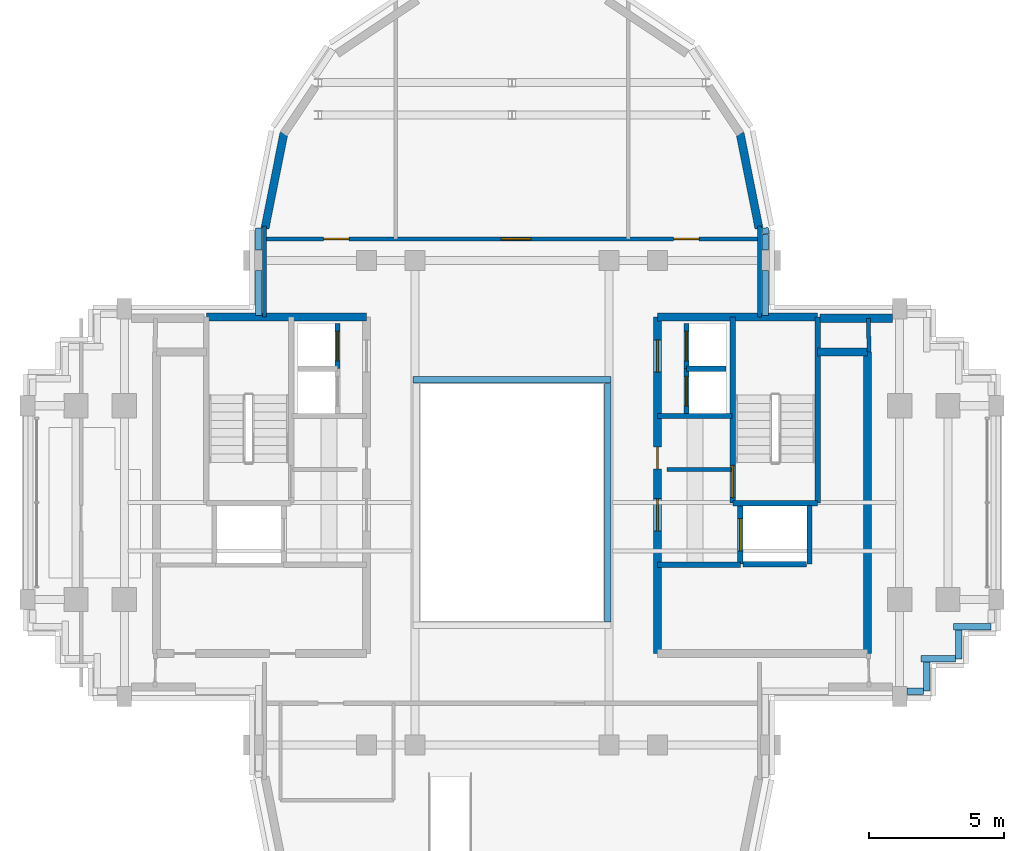
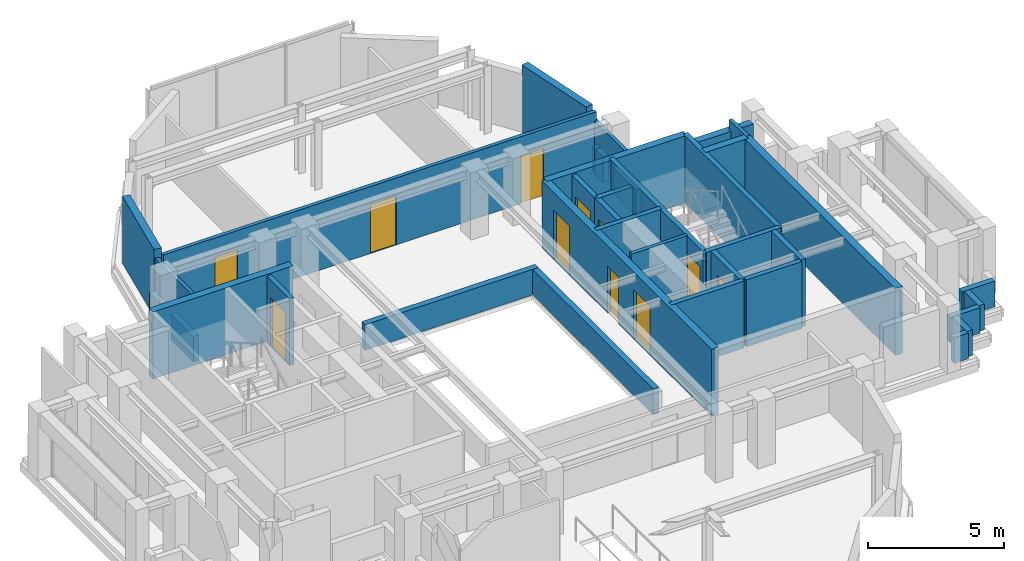
# One storey, part 9 of 12: 37 walls, 11 doors, 11 openings.
"""IFC4 building model written with IfcOpenShell, lengths in metres."""

from ifc_helpers import new_model, si_unit, direction, frame, frame_2d, origin, place, context, subcontext, project, spatial, rectangle, extrude, source, transform, mapped, material, layer, layer_set, type_object, element, fill, save


model = new_model("IFC4")

# Units and contexts
model_context = context("Model", 3, precision=1e-05, world=origin(), true_north=direction((0.0, 1.0)))
body_context = subcontext(model_context, "Body", "Model", "MODEL_VIEW")
ifc_project = project(units=[si_unit("LENGTHUNIT", "METRE"), si_unit("AREAUNIT", "SQUARE_METRE"), si_unit("VOLUMEUNIT", "CUBIC_METRE"), si_unit("PLANEANGLEUNIT", "RADIAN"), si_unit("MASSUNIT", "GRAM", prefix="KILO")], contexts=[model_context])

# Site, building, storey
site_placement = place(None, origin())
site = spatial("IfcSite", under=ifc_project, at=site_placement, CompositionType="ELEMENT")
building_placement = place(site_placement, origin())
building = spatial("IfcBuilding", under=site, at=building_placement, Name="Keilestroom Media Tower", CompositionType="ELEMENT")
storey_placement = place(building_placement, frame((0.0, 0.0, 242.800048828125)))
storey = spatial("IfcBuildingStorey", under=building, at=storey_placement, Name="L67", CompositionType="ELEMENT", Elevation=242.800048828125)

# Walls
ifc_material_1 = material(Name="Precast concrete C40/50", Category="concrete")
ifc_layer_1 = layer(ifc_material_1, 0.300048828125)
ifc_layer_set_1 = layer_set([ifc_layer_1], Name="Precast concrete C40/50")
wall_type_1 = type_object("IfcWallType", Name="Exterior-Masonry-Spandrel-Wall-300", PredefinedType="SOLIDWALL", material=ifc_layer_set_1)
wall_1_placement = place(storey_placement, frame((11.447998046875, 6.85009765625, 0.0), z_axis=(0.0, 0.0, 1.0), x_axis=(1.0, 0.0, 0.0)))
element("IfcWall", 1, at=wall_1_placement, inside=storey, type_object=wall_type_1, Name="L67 Flank Masonry Wall EWL-L67-NE-1", PredefinedType="SOLIDWALL", context=body_context, shape_type="SweptSolid", body=[
    extrude(rectangle(XDim=2.68505859375, YDim=0.300048828125, at=frame_2d((1.342529296875, 0.0))), origin(), (0.0, 0.0, 1.0), 2.570068359375),
])
for number, where, z_axis, x_axis, name in (
    (2, (9.1748046875, 10.185302734375, 0.0), (0.0, 0.0, 1.0), (-0.195114232679, 0.980780523974, 0.0), "L67 Lobe Facet Precast Frame Wall 01"),
    (3, (-8.470703125, 13.724609375, 0.0), (0.0, 0.0, 1.0), (-0.195114232679, -0.980780523974, 0.0), "L67 Lobe Facet Precast Frame Wall 06"),
):
    element("IfcWall", number, at=place(storey_placement, frame(where, z_axis=z_axis, x_axis=x_axis)), inside=storey, type_object=wall_type_1, Name=name, PredefinedType="SOLIDWALL", context=body_context, shape_type="SweptSolid", body=[
        extrude(rectangle(XDim=3.608642578125, YDim=0.300048828125, at=frame_2d((1.80419921875, 0.0))), origin(), (0.0, 0.0, 1.0), 3.010009765625),
    ])
ifc_material_2 = material(Name="Gypsum Plasterboard & Steel Stud", Category="steel")
ifc_layer_2 = layer(ifc_material_2, 0.14990234375)
ifc_layer_set_2 = layer_set([ifc_layer_2], Name="Gypsum Plasterboard & Steel Stud")
wall_type_2 = type_object("IfcWallType", Name="Interior-Partition-Wall-150", PredefinedType="PARTITIONING", material=ifc_layer_set_2)
wall_2_placement = place(storey_placement, frame((5.75, 1.239990234375, 0.0), z_axis=(0.0, 0.0, 1.0), x_axis=(1.0, 0.0, 0.0)))
element("IfcWall", 4, at=wall_2_placement, inside=storey, type_object=wall_type_2, Name="L67 Interior Wall WP-L67-FFE-TOP", PredefinedType="PARTITIONING", context=body_context, shape_type="SweptSolid", body=[
    extrude(rectangle(XDim=2.389892578125, YDim=0.14990234375, at=frame_2d((1.19482421875, 0.0))), origin(), (0.0, 0.0, 1.0), 3.010009765625),
])

# Wall, openings, doors
wall_3_placement = place(storey_placement, frame((-9.199951171875, 9.800048828125, 0.0), z_axis=(0.0, 0.0, 1.0), x_axis=(1.0, 0.0, 0.0)))
wall_3 = element("IfcWall", 5, at=wall_3_placement, inside=storey, type_object=wall_type_2, Name="L67 Interior Wall WP-L67-NL-BASE", PredefinedType="PARTITIONING", context=body_context, shape_type="SweptSolid", body=[
    extrude(rectangle(XDim=18.39990234375, YDim=0.14990234375, at=frame_2d((9.199951171875, 0.0))), origin(), (0.0, 0.0, 1.0), 3.010009765625),
])
opening_1_placement = place(wall_3_placement, frame((2.199951171875, 0.0, 0.0)))
opening_1 = element("IfcOpeningElement", 6, at=opening_1_placement, cuts=wall_3, Name="Opening DI-03", PredefinedType="OPENING", context=body_context, shape_type="SweptSolid", body=[
    extrude(rectangle(XDim=0.949951171875, YDim=2.14990234375, at=frame_2d((0.47509765625, 1.074951171875))), frame((0.0, 0.0849609375, 0.0), z_axis=(0.0, -1.0, 0.0), x_axis=(1.0, 0.0, 0.0)), (0.0, 0.0, 1.0), 0.169921875),
])
opening_2_placement = place(wall_3_placement, frame((8.800048828125, 0.0, 0.0)))
opening_2 = element("IfcOpeningElement", 7, at=opening_2_placement, cuts=wall_3, Name="Opening DI-04", PredefinedType="OPENING", context=body_context, shape_type="SweptSolid", body=[
    extrude(rectangle(XDim=1.10009765625, YDim=2.199951171875, at=frame_2d((0.550048828125, 1.10009765625))), frame((0.0, 0.0849609375, 0.0), z_axis=(0.0, -1.0, 0.0), x_axis=(1.0, 0.0, 0.0)), (0.0, 0.0, 1.0), 0.169921875),
])
opening_3_placement = place(wall_3_placement, frame((15.199951171875, 0.0, 0.0)))
opening_3 = element("IfcOpeningElement", 8, at=opening_3_placement, cuts=wall_3, Name="Opening DI-03", PredefinedType="OPENING", context=body_context, shape_type="SweptSolid", body=[
    extrude(rectangle(XDim=0.949951171875, YDim=2.14990234375, at=frame_2d((0.47509765625, 1.074951171875))), frame((0.0, 0.0849609375, 0.0), z_axis=(0.0, -1.0, 0.0), x_axis=(1.0, 0.0, 0.0)), (0.0, 0.0, 1.0), 0.169921875),
])
ifc_material_3 = material(Name="Lacquered European Oak Leaf", Category="wood")
door_type_1 = type_object("IfcDoorType", Name="Interior-Room-And-Suite-Door-DI-03", OperationType="NOTDEFINED", PredefinedType="DOOR", material=ifc_material_3)
shared_shape_1 = source(origin(), body_context, "Body", "SweptSolid", [
    extrude(rectangle(XDim=0.949951171875, YDim=2.14990234375, at=frame_2d((0.47509765625, 1.074951171875))), frame((0.0, 0.02490234375, 0.0), z_axis=(0.0, -1.0, 0.0), x_axis=(1.0, 0.0, 0.0)), (0.0, 0.0, 1.0), 0.050048828125),
])
door_1_placement = place(opening_1_placement, origin())
door_1 = element("IfcDoor", 9, at=door_1_placement, inside=storey, type_object=door_type_1, Name="L67 Interior Door DI-L67-DNL-W", OperationType="SINGLE_SWING_LEFT", OverallHeight=2.14990234375, OverallWidth=0.949951171875, PredefinedType="DOOR", context=body_context, shape_type="MappedRepresentation", body=[
    mapped(shared_shape_1, transform((0.0, 0.0, 0.0), x_axis=(1.0, 0.0, 0.0), y_axis=(0.0, 1.0, 0.0), z_axis=(0.0, 0.0, 1.0), scale=1.0)),
])
fill(opening_1, door_1)
door_2_placement = place(opening_3_placement, origin())
door_2 = element("IfcDoor", 10, at=door_2_placement, inside=storey, type_object=door_type_1, Name="L67 Interior Door DI-L67-DNL-E", OperationType="SINGLE_SWING_LEFT", OverallHeight=2.14990234375, OverallWidth=0.949951171875, PredefinedType="DOOR", context=body_context, shape_type="MappedRepresentation", body=[
    mapped(shared_shape_1, transform((0.0, 0.0, 0.0), x_axis=(1.0, 0.0, 0.0), y_axis=(0.0, 1.0, 0.0), z_axis=(0.0, 0.0, 1.0), scale=1.0)),
])
fill(opening_3, door_2)
ifc_material_4 = material(Name="Acoustic Glazed Aluminium Leaf", Category="aluminium")
door_type_2 = type_object("IfcDoorType", Name="Interior-Room-And-Suite-Door-DI-04", OperationType="NOTDEFINED", PredefinedType="DOOR", material=ifc_material_4)
shared_shape_2 = source(origin(), body_context, "Body", "SweptSolid", [
    extrude(rectangle(XDim=1.10009765625, YDim=2.199951171875, at=frame_2d((0.550048828125, 1.10009765625))), frame((0.0, 0.02490234375, 0.0), z_axis=(0.0, -1.0, 0.0), x_axis=(1.0, 0.0, 0.0)), (0.0, 0.0, 1.0), 0.050048828125),
])
door_3_placement = place(opening_2_placement, origin())
door_3 = element("IfcDoor", 11, at=door_3_placement, inside=storey, type_object=door_type_2, Name="L67 Interior Door DI-L67-DNL-C", OperationType="SINGLE_SWING_RIGHT", OverallHeight=2.199951171875, OverallWidth=1.10009765625, PredefinedType="DOOR", context=body_context, shape_type="MappedRepresentation", body=[
    mapped(shared_shape_2, transform((0.0, 0.0, 0.0), x_axis=(1.0, 0.0, 0.0), y_axis=(0.0, 1.0, 0.0), z_axis=(0.0, 0.0, 1.0), scale=1.0)),
])
fill(opening_2, door_3)

# Walls
for number, where, z_axis, x_axis, name in (
    (12, (-9.199951171875, 6.89990234375, 0.0), (0.0, 0.0, 1.0), (0.0, 1.0, 0.0), "L67 Interior Wall WP-L67-NL-CHKW"),
    (13, (9.199951171875, 6.89990234375, 0.0), (0.0, 0.0, 1.0), (0.0, 1.0, 0.0), "L67 Interior Wall WP-L67-NL-CHKE"),
):
    element("IfcWall", number, at=place(storey_placement, frame(where, z_axis=z_axis, x_axis=x_axis)), inside=storey, type_object=wall_type_2, Name=name, PredefinedType="PARTITIONING", context=body_context, shape_type="SweptSolid", body=[
        extrude(rectangle(XDim=3.380126953125, YDim=0.14990234375, at=frame_2d((1.68994140625, 0.0))), origin(), (0.0, 0.0, 1.0), 2.60986328125),
    ])
wall_4_placement = place(storey_placement, frame((13.260009765625, 5.60009765625, 0.0), z_axis=(0.0, 0.0, 1.0), x_axis=(-0.016013571389, 0.999871774545, 0.0)))
element("IfcWall", 14, at=wall_4_placement, inside=storey, type_object=wall_type_2, Name="L67 Interior Wall WP-L67-EA-ENTN", PredefinedType="PARTITIONING", context=body_context, shape_type="SweptSolid", body=[
    extrude(rectangle(XDim=1.250244140625, YDim=0.14990234375, at=frame_2d((0.625, 0.0))), origin(), (0.0, 0.0, 1.0), 3.010009765625),
])
ifc_material_5 = material(Name="Concrete C50/60", Category="concrete")
ifc_layer_3 = layer(ifc_material_5, 0.300048828125)
ifc_layer_set_3 = layer_set([ifc_layer_3], Name="Concrete C50/60")
wall_type_3 = type_object("IfcWallType", Name="Reinforced-Concrete-Core-Shear-Wall-300", PredefinedType="SHEAR", material=ifc_layer_set_3)
wall_5_placement = place(storey_placement, frame((-11.35595703125, 6.89990234375, 0.0), z_axis=(0.0, 0.0, 1.0), x_axis=(1.0, 0.0, 0.0)))
element("IfcWall", 15, at=wall_5_placement, inside=storey, type_object=wall_type_3, Name="L67 Core Shear Wall WL-L67-CORE-W-N", PredefinedType="SHEAR", context=body_context, shape_type="SweptSolid", body=[
    extrude(rectangle(XDim=5.9560546875, YDim=0.300048828125, at=frame_2d((2.97802734375, 0.0))), origin(), (0.0, 0.0, 1.0), 3.010009765625),
])
wall_6_placement = place(storey_placement, frame((13.199951171875, -5.60009765625, 0.0), z_axis=(0.0, 0.0, 1.0), x_axis=(0.0, 1.0, 0.0)))
element("IfcWall", 16, at=wall_6_placement, inside=storey, type_object=wall_type_3, Name="L67 Core Shear Wall WL-L67-CORE-E-OUT", PredefinedType="SHEAR", context=body_context, shape_type="SweptSolid", body=[
    extrude(rectangle(XDim=11.2001953125, YDim=0.300048828125, at=frame_2d((5.60009765625, 0.0))), origin(), (0.0, 0.0, 1.0), 3.010009765625),
])

# Wall, openings, doors
wall_7_placement = place(storey_placement, frame((5.39990234375, -5.60009765625, 0.0), z_axis=(0.0, 0.0, 1.0), x_axis=(0.0, 1.0, 0.0)))
wall_7 = element("IfcWall", 17, at=wall_7_placement, inside=storey, type_object=wall_type_3, Name="L67 Core Shear Wall WL-L67-CORE-E-IN", PredefinedType="SHEAR", context=body_context, shape_type="SweptSolid", body=[
    extrude(rectangle(XDim=12.5, YDim=0.300048828125, at=frame_2d((6.25, 0.0))), origin(), (0.0, 0.0, 1.0), 3.010009765625),
])
opening_4_placement = place(wall_7_placement, frame((4.550048828125, 0.0, 0.0)))
opening_4 = element("IfcOpeningElement", 18, at=opening_4_placement, cuts=wall_7, Name="Opening DI-02", PredefinedType="OPENING", context=body_context, shape_type="SweptSolid", body=[
    extrude(rectangle(XDim=1.199951171875, YDim=2.199951171875, at=frame_2d((0.60009765625, 1.10009765625))), frame((0.0, 0.16015625, 0.0), z_axis=(0.0, -1.0, 0.0), x_axis=(1.0, 0.0, 0.0)), (0.0, 0.0, 1.0), 0.320068359375),
])
opening_5_placement = place(wall_7_placement, frame((10.449951171875, 0.0, 0.0)))
opening_5 = element("IfcOpeningElement", 19, at=opening_5_placement, cuts=wall_7, Name="Opening DI-02", PredefinedType="OPENING", context=body_context, shape_type="SweptSolid", body=[
    extrude(rectangle(XDim=1.199951171875, YDim=2.199951171875, at=frame_2d((0.60009765625, 1.10009765625))), frame((0.0, 0.16015625, 0.0), z_axis=(0.0, -1.0, 0.0), x_axis=(1.0, 0.0, 0.0)), (0.0, 0.0, 1.0), 0.320068359375),
])
opening_6_placement = place(wall_7_placement, frame((6.860107421875, 0.0, 0.0)))
opening_6 = element("IfcOpeningElement", 20, at=opening_6_placement, cuts=wall_7, Name="Opening DI-06", PredefinedType="OPENING", context=body_context, shape_type="SweptSolid", body=[
    extrude(rectangle(XDim=0.800048828125, YDim=2.10009765625, at=frame_2d((0.39990234375, 1.050048828125))), frame((0.0, 0.16015625, 0.0), z_axis=(0.0, -1.0, 0.0), x_axis=(1.0, 0.0, 0.0)), (0.0, 0.0, 1.0), 0.320068359375),
])
ifc_material_6 = material(Name="Powder-Coated Steel Fire Leaf", Category="steel")
door_type_3 = type_object("IfcDoorType", Name="Interior-Compartment-Fire-Door-DI-02", OperationType="NOTDEFINED", PredefinedType="DOOR", material=ifc_material_6)
shared_shape_3 = source(origin(), body_context, "Body", "SweptSolid", [
    extrude(rectangle(XDim=1.199951171875, YDim=2.199951171875, at=frame_2d((0.60009765625, 1.10009765625))), frame((0.0, 0.02490234375, 0.0), z_axis=(0.0, -1.0, 0.0), x_axis=(1.0, 0.0, 0.0)), (0.0, 0.0, 1.0), 0.050048828125),
])
door_4_placement = place(opening_4_placement, origin())
door_4 = element("IfcDoor", 21, at=door_4_placement, inside=storey, type_object=door_type_3, Name="L67 E Firefighting Lobby Door", OperationType="SINGLE_SWING_LEFT", OverallHeight=2.199951171875, OverallWidth=1.199951171875, PredefinedType="DOOR", context=body_context, shape_type="MappedRepresentation", body=[
    mapped(shared_shape_3, transform((0.0, 0.0, 0.0), x_axis=(1.0, 0.0, 0.0), y_axis=(0.0, 1.0, 0.0), z_axis=(0.0, 0.0, 1.0), scale=1.0)),
])
fill(opening_4, door_4)
door_5_placement = place(opening_5_placement, origin())
door_5 = element("IfcDoor", 22, at=door_5_placement, inside=storey, type_object=door_type_3, Name="L67 E High-Rise Lift Lobby Door", OperationType="SINGLE_SWING_RIGHT", OverallHeight=2.199951171875, OverallWidth=1.199951171875, PredefinedType="DOOR", context=body_context, shape_type="MappedRepresentation", body=[
    mapped(shared_shape_3, transform((0.0, 0.0, 0.0), x_axis=(1.0, 0.0, 0.0), y_axis=(0.0, 1.0, 0.0), z_axis=(0.0, 0.0, 1.0), scale=1.0)),
])
fill(opening_5, door_5)
ifc_material_7 = material(Name="Powder-Coated Steel Service Leaf", Category="steel")
door_type_4 = type_object("IfcDoorType", Name="Interior-Riser-Access-Door-DI-06", OperationType="NOTDEFINED", PredefinedType="DOOR", material=ifc_material_7)
shared_shape_4 = source(origin(), body_context, "Body", "SweptSolid", [
    extrude(rectangle(XDim=0.800048828125, YDim=2.10009765625, at=frame_2d((0.39990234375, 1.050048828125))), frame((0.0, 0.02490234375, 0.0), z_axis=(0.0, -1.0, 0.0), x_axis=(1.0, 0.0, 0.0)), (0.0, 0.0, 1.0), 0.050048828125),
])
door_6_placement = place(opening_6_placement, origin())
door_6 = element("IfcDoor", 23, at=door_6_placement, inside=storey, type_object=door_type_4, Name="L67 East Core Telecom Door", OperationType="SINGLE_SWING_RIGHT", OverallHeight=2.10009765625, OverallWidth=0.800048828125, PredefinedType="DOOR", context=body_context, shape_type="MappedRepresentation", body=[
    mapped(shared_shape_4, transform((0.0, 0.0, 0.0), x_axis=(1.0, 0.0, 0.0), y_axis=(0.0, 1.0, 0.0), z_axis=(0.0, 0.0, 1.0), scale=1.0)),
])
fill(opening_6, door_6)

# Walls
wall_8_placement = place(storey_placement, frame((5.39990234375, 6.89990234375, 0.0), z_axis=(0.0, 0.0, 1.0), x_axis=(1.0, 0.0, 0.0)))
element("IfcWall", 24, at=wall_8_placement, inside=storey, type_object=wall_type_3, Name="L67 Core Shear Wall WL-L67-CORE-E-N", PredefinedType="SHEAR", context=body_context, shape_type="SweptSolid", body=[
    extrude(rectangle(XDim=5.9560546875, YDim=0.300048828125, at=frame_2d((2.97802734375, 0.0))), origin(), (0.0, 0.0, 1.0), 3.010009765625),
])
wall_9_placement = place(storey_placement, frame((11.35595703125, 5.60009765625, 0.0), z_axis=(0.0, 0.0, 1.0), x_axis=(1.0, 0.0, 0.0)))
element("IfcWall", 25, at=wall_9_placement, inside=storey, type_object=wall_type_3, Name="L67 Core Shear Wall WL-L67-CNE-N", PredefinedType="SHEAR", context=body_context, shape_type="SweptSolid", body=[
    extrude(rectangle(XDim=1.843994140625, YDim=0.300048828125, at=frame_2d((0.921875, 0.0))), origin(), (0.0, 0.0, 1.0), 3.010009765625),
])
ifc_layer_4 = layer(ifc_material_5, 0.199951171875)
ifc_layer_set_4 = layer_set([ifc_layer_4], Name="Concrete C50/60")
wall_type_4 = type_object("IfcWallType", Name="Reinforced-Concrete-Shaft-Wall-200", PredefinedType="SOLIDWALL", material=ifc_layer_set_4)
wall_10_placement = place(storey_placement, frame((5.39990234375, 3.219970703125, 0.0), z_axis=(0.0, 0.0, 1.0), x_axis=(1.0, 0.0, 0.0)))
element("IfcWall", 26, at=wall_10_placement, inside=storey, type_object=wall_type_4, Name="L67 Core Shear Wall WL-L67-CORE-E-FFN", PredefinedType="SOLIDWALL", context=body_context, shape_type="SweptSolid", body=[
    extrude(rectangle(XDim=2.780029296875, YDim=0.199951171875, at=frame_2d((1.39013671875, 0.0))), origin(), (0.0, 0.0, 1.0), 3.010009765625),
])
wall_11_placement = place(storey_placement, frame((5.39990234375, -2.300048828125, 0.0), z_axis=(0.0, 0.0, 1.0), x_axis=(1.0, 0.0, 0.0)))
element("IfcWall", 27, at=wall_11_placement, inside=storey, type_object=wall_type_4, Name="L67 Core Shear Wall WL-L67-CORE-E-FFS", PredefinedType="SOLIDWALL", context=body_context, shape_type="SweptSolid", body=[
    extrude(rectangle(XDim=3.080078125, YDim=0.199951171875, at=frame_2d((1.5400390625, 0.0))), origin(), (0.0, 0.0, 1.0), 3.010009765625),
])

# Wall, opening, door
wall_12_placement = place(storey_placement, frame((8.2041015625, -0.01611328125, 0.0), z_axis=(0.0, 0.0, 1.0), x_axis=(0.0, 1.0, 0.0)))
wall_12 = element("IfcWall", 28, at=wall_12_placement, inside=storey, type_object=wall_type_4, Name="L67 Core Shear Wall WL-L67-STW-E-NEAR", PredefinedType="SOLIDWALL", context=body_context, shape_type="SweptSolid", body=[
    extrude(rectangle(XDim=6.916015625, YDim=0.199951171875, at=frame_2d((3.4580078125, 0.0))), origin(), (0.0, 0.0, 1.0), 3.010009765625),
])
opening_7_placement = place(wall_12_placement, frame((0.199951171875, 0.0, 0.0)))
opening_7 = element("IfcOpeningElement", 29, at=opening_7_placement, cuts=wall_12, Name="Opening DI-01S", PredefinedType="OPENING", context=body_context, shape_type="SweptSolid", body=[
    extrude(rectangle(XDim=1.199951171875, YDim=2.199951171875, at=frame_2d((0.60009765625, 1.10009765625))), frame((0.0, 0.10986328125, 0.0), z_axis=(0.0, -1.0, 0.0), x_axis=(1.0, 0.0, 0.0)), (0.0, 0.0, 1.0), 0.219970703125),
])
door_type_5 = type_object("IfcDoorType", Name="Interior-Stair-And-Core-Fire-Door-DI-01", OperationType="NOTDEFINED", PredefinedType="DOOR", material=ifc_material_6)
door_7_placement = place(opening_7_placement, origin())
door_7 = element("IfcDoor", 30, at=door_7_placement, inside=storey, type_object=door_type_5, Name="L67 Escape Stair ST-2 Fire Door", OperationType="SINGLE_SWING_RIGHT", OverallHeight=2.199951171875, OverallWidth=1.199951171875, PredefinedType="DOOR", context=body_context, shape_type="MappedRepresentation", body=[
    mapped(shared_shape_3, transform((0.0, 0.0, 0.0), x_axis=(1.0, 0.0, 0.0), y_axis=(0.0, 1.0, 0.0), z_axis=(0.0, 0.0, 1.0), scale=1.0)),
])
fill(opening_7, door_7)

# Walls
wall_13_placement = place(storey_placement, frame((11.35595703125, -0.01611328125, 0.0), z_axis=(0.0, 0.0, 1.0), x_axis=(0.0, 1.0, 0.0)))
element("IfcWall", 31, at=wall_13_placement, inside=storey, type_object=wall_type_4, Name="L67 Core Shear Wall WL-L67-STW-E-FAR", PredefinedType="SOLIDWALL", context=body_context, shape_type="SweptSolid", body=[
    extrude(rectangle(XDim=6.916015625, YDim=0.199951171875, at=frame_2d((3.4580078125, 0.0))), origin(), (0.0, 0.0, 1.0), 3.010009765625),
])
wall_14_placement = place(storey_placement, frame((8.2041015625, -0.01611328125, 0.0), z_axis=(0.0, 0.0, 1.0), x_axis=(1.0, 0.0, 0.0)))
element("IfcWall", 32, at=wall_14_placement, inside=storey, type_object=wall_type_4, Name="L67 Core Shear Wall WL-L67-STW-E-S", PredefinedType="SOLIDWALL", context=body_context, shape_type="SweptSolid", body=[
    extrude(rectangle(XDim=3.15185546875, YDim=0.199951171875, at=frame_2d((1.575927734375, 0.0))), origin(), (0.0, 0.0, 1.0), 3.010009765625),
])

# Wall, opening, door
wall_15_placement = place(storey_placement, frame((8.47998046875, -2.280029296875, 0.0), z_axis=(0.0, 0.0, 1.0), x_axis=(0.0, 1.0, 0.0)))
wall_15 = element("IfcWall", 33, at=wall_15_placement, inside=storey, type_object=wall_type_4, Name="L67 Core Shear Wall WL-L67-LSH-FFL-2-W", PredefinedType="SOLIDWALL", context=body_context, shape_type="SweptSolid", body=[
    extrude(rectangle(XDim=2.179931640625, YDim=0.199951171875, at=frame_2d((1.08984375, 0.0))), origin(), (0.0, 0.0, 1.0), 3.010009765625),
])
opening_8_placement = place(wall_15_placement, frame((0.489990234375, 0.0, 0.0)))
opening_8 = element("IfcOpeningElement", 34, at=opening_8_placement, cuts=wall_15, Name="Opening LD-02", PredefinedType="OPENING", context=body_context, shape_type="SweptSolid", body=[
    extrude(rectangle(XDim=1.199951171875, YDim=2.199951171875, at=frame_2d((0.60009765625, 1.10009765625))), frame((0.0, 0.10986328125, 0.0), z_axis=(0.0, -1.0, 0.0), x_axis=(1.0, 0.0, 0.0)), (0.0, 0.0, 1.0), 0.219970703125),
])
ifc_material_8 = material(Name="Brushed Stainless Steel Sliding Leaf", Category="steel")
door_type_6 = type_object("IfcDoorType", Name="Lift-Landing-Sliding-Door-LD-02", OperationType="SLIDING_TO_RIGHT", PredefinedType="DOOR", material=ifc_material_8)
door_8_placement = place(opening_8_placement, origin())
door_8 = element("IfcDoor", 35, at=door_8_placement, inside=storey, type_object=door_type_6, Name="L67 Lift FFL-2 Landing Sliding Door", OperationType="SLIDING_TO_RIGHT", OverallHeight=2.199951171875, OverallWidth=1.199951171875, PredefinedType="DOOR", context=body_context, shape_type="MappedRepresentation", body=[
    mapped(shared_shape_3, transform((0.0, 0.0, 0.0), x_axis=(1.0, 0.0, 0.0), y_axis=(0.0, 1.0, 0.0), z_axis=(0.0, 0.0, 1.0), scale=1.0)),
])
fill(opening_8, door_8)

# Walls
wall_16_placement = place(storey_placement, frame((11.050048828125, -2.280029296875, 0.0), z_axis=(0.0, 0.0, 1.0), x_axis=(0.0, 1.0, 0.0)))
element("IfcWall", 36, at=wall_16_placement, inside=storey, type_object=wall_type_4, Name="L67 Core Shear Wall WL-L67-LSH-FFL-2-E", PredefinedType="SOLIDWALL", context=body_context, shape_type="SweptSolid", body=[
    extrude(rectangle(XDim=2.179931640625, YDim=0.199951171875, at=frame_2d((1.08984375, 0.0))), origin(), (0.0, 0.0, 1.0), 3.010009765625),
])
wall_17_placement = place(storey_placement, frame((8.583984375, -2.280029296875, 0.0), z_axis=(0.0, 0.0, 1.0), x_axis=(1.0, 0.0, 0.0)))
element("IfcWall", 37, at=wall_17_placement, inside=storey, type_object=wall_type_4, Name="L67 Core Shear Wall WL-L67-LSH-FFL-2-S", PredefinedType="SOLIDWALL", context=body_context, shape_type="SweptSolid", body=[
    extrude(rectangle(XDim=2.362060546875, YDim=0.199951171875, at=frame_2d((1.18115234375, 0.0))), origin(), (0.0, 0.0, 1.0), 3.010009765625),
])

# Wall, opening, door
wall_18_placement = place(storey_placement, frame((-6.47998046875, 4.97998046875, 0.0), z_axis=(0.0, 0.0, 1.0), x_axis=(0.0, 1.0, 0.0)))
wall_18 = element("IfcWall", 38, at=wall_18_placement, inside=storey, type_object=wall_type_4, Name="L67 Core Shear Wall WL-L67-LSH-PL-H2-E", PredefinedType="SOLIDWALL", context=body_context, shape_type="SweptSolid", body=[
    extrude(rectangle(XDim=1.669921875, YDim=0.199951171875, at=frame_2d((0.8349609375, 0.0))), origin(), (0.0, 0.0, 1.0), 3.010009765625),
])
opening_9_placement = place(wall_18_placement, frame((0.284912109375, 0.0, 0.0)))
opening_9 = element("IfcOpeningElement", 39, at=opening_9_placement, cuts=wall_18, Name="Opening LD-01", PredefinedType="OPENING", context=body_context, shape_type="SweptSolid", body=[
    extrude(rectangle(XDim=1.10009765625, YDim=2.199951171875, at=frame_2d((0.550048828125, 1.10009765625))), frame((0.0, 0.10986328125, 0.0), z_axis=(0.0, -1.0, 0.0), x_axis=(1.0, 0.0, 0.0)), (0.0, 0.0, 1.0), 0.219970703125),
])
door_type_7 = type_object("IfcDoorType", Name="Lift-Landing-Sliding-Door-LD-01", OperationType="SLIDING_TO_LEFT", PredefinedType="DOOR", material=ifc_material_8)
door_9_placement = place(opening_9_placement, origin())
door_9 = element("IfcDoor", 40, at=door_9_placement, inside=storey, type_object=door_type_7, Name="L67 Lift PL-H2 Landing Sliding Door", OperationType="SLIDING_TO_LEFT", OverallHeight=2.199951171875, OverallWidth=1.10009765625, PredefinedType="DOOR", context=body_context, shape_type="MappedRepresentation", body=[
    mapped(shared_shape_2, transform((0.0, 0.0, 0.0), x_axis=(1.0, 0.0, 0.0), y_axis=(0.0, 1.0, 0.0), z_axis=(0.0, 0.0, 1.0), scale=1.0)),
])
fill(opening_9, door_9)

wall_19_placement = place(storey_placement, frame((6.47998046875, 3.300048828125, 0.0), z_axis=(0.0, 0.0, 1.0), x_axis=(0.0, 1.0, 0.0)))
wall_19 = element("IfcWall", 41, at=wall_19_placement, inside=storey, type_object=wall_type_4, Name="L67 Core Shear Wall WL-L67-LSH-PL-H3-W", PredefinedType="SOLIDWALL", context=body_context, shape_type="SweptSolid", body=[
    extrude(rectangle(XDim=1.679931640625, YDim=0.199951171875, at=frame_2d((0.83984375, 0.0))), origin(), (0.0, 0.0, 1.0), 3.010009765625),
])
opening_10_placement = place(wall_19_placement, frame((0.2900390625, 0.0, 0.0)))
opening_10 = element("IfcOpeningElement", 42, at=opening_10_placement, cuts=wall_19, Name="Opening LD-01", PredefinedType="OPENING", context=body_context, shape_type="SweptSolid", body=[
    extrude(rectangle(XDim=1.10009765625, YDim=2.199951171875, at=frame_2d((0.550048828125, 1.10009765625))), frame((0.0, 0.10986328125, 0.0), z_axis=(0.0, -1.0, 0.0), x_axis=(1.0, 0.0, 0.0)), (0.0, 0.0, 1.0), 0.219970703125),
])
door_10_placement = place(opening_10_placement, origin())
door_10 = element("IfcDoor", 43, at=door_10_placement, inside=storey, type_object=door_type_7, Name="L67 Lift PL-H3 Landing Sliding Door", OperationType="SLIDING_TO_LEFT", OverallHeight=2.199951171875, OverallWidth=1.10009765625, PredefinedType="DOOR", context=body_context, shape_type="MappedRepresentation", body=[
    mapped(shared_shape_2, transform((0.0, 0.0, 0.0), x_axis=(1.0, 0.0, 0.0), y_axis=(0.0, 1.0, 0.0), z_axis=(0.0, 0.0, 1.0), scale=1.0)),
])
fill(opening_10, door_10)

# Wall
wall_20_placement = place(storey_placement, frame((6.47998046875, 4.97998046875, 0.0), z_axis=(0.0, 0.0, 1.0), x_axis=(1.0, 0.0, 0.0)))
element("IfcWall", 44, at=wall_20_placement, inside=storey, type_object=wall_type_4, Name="L67 Core Shear Wall WL-L67-LSH-PL-H3-N", PredefinedType="SOLIDWALL", context=body_context, shape_type="SweptSolid", body=[
    extrude(rectangle(XDim=1.469970703125, YDim=0.199951171875, at=frame_2d((0.73486328125, 0.0))), origin(), (0.0, 0.0, 1.0), 3.010009765625),
])

# Wall, opening, door
wall_21_placement = place(storey_placement, frame((6.47998046875, 4.97998046875, 0.0), z_axis=(0.0, 0.0, 1.0), x_axis=(0.0, 1.0, 0.0)))
wall_21 = element("IfcWall", 45, at=wall_21_placement, inside=storey, type_object=wall_type_4, Name="L67 Core Shear Wall WL-L67-LSH-PL-H4-W", PredefinedType="SOLIDWALL", context=body_context, shape_type="SweptSolid", body=[
    extrude(rectangle(XDim=1.669921875, YDim=0.199951171875, at=frame_2d((0.8349609375, 0.0))), origin(), (0.0, 0.0, 1.0), 3.010009765625),
])
opening_11_placement = place(wall_21_placement, frame((0.284912109375, 0.0, 0.0)))
opening_11 = element("IfcOpeningElement", 46, at=opening_11_placement, cuts=wall_21, Name="Opening LD-01", PredefinedType="OPENING", context=body_context, shape_type="SweptSolid", body=[
    extrude(rectangle(XDim=1.10009765625, YDim=2.199951171875, at=frame_2d((0.550048828125, 1.10009765625))), frame((0.0, 0.10986328125, 0.0), z_axis=(0.0, -1.0, 0.0), x_axis=(1.0, 0.0, 0.0)), (0.0, 0.0, 1.0), 0.219970703125),
])
door_11_placement = place(opening_11_placement, origin())
door_11 = element("IfcDoor", 47, at=door_11_placement, inside=storey, type_object=door_type_7, Name="L67 Lift PL-H4 Landing Sliding Door", OperationType="SLIDING_TO_LEFT", OverallHeight=2.199951171875, OverallWidth=1.10009765625, PredefinedType="DOOR", context=body_context, shape_type="MappedRepresentation", body=[
    mapped(shared_shape_2, transform((0.0, 0.0, 0.0), x_axis=(1.0, 0.0, 0.0), y_axis=(0.0, 1.0, 0.0), z_axis=(0.0, 0.0, 1.0), scale=1.0)),
])
fill(opening_11, door_11)

# Walls
ifc_layer_5 = layer(ifc_material_1, 0.239990234375)
ifc_layer_set_5 = layer_set([ifc_layer_5], Name="Precast concrete C40/50")
wall_type_5 = type_object("IfcWallType", Name="Roof-And-Terrace-Parapet-Wall-240", PredefinedType="PARAPET", material=ifc_layer_set_5)
wall_22_placement = place(storey_placement, frame((17.800048828125, -4.60009765625, 0.0), z_axis=(0.0, 0.0, 1.0), x_axis=(-1.0, 0.0, 0.0)))
element("IfcWall", 48, at=wall_22_placement, inside=storey, type_object=wall_type_5, Name="L67 Perimeter Edge Parapet Wall 01", PredefinedType="PARAPET", context=body_context, shape_type="SweptSolid", body=[
    extrude(rectangle(XDim=1.400146484375, YDim=0.239990234375, at=frame_2d((0.7001953125, 0.0))), origin(), (0.0, 0.0, 1.0), 1.14990234375),
])
wall_23_placement = place(storey_placement, frame((16.60009765625, -4.722900390625, 0.0), z_axis=(0.0, 0.0, 1.0), x_axis=(0.0, -1.0, 0.0)))
element("IfcWall", 49, at=wall_23_placement, inside=storey, type_object=wall_type_5, Name="L67 Perimeter Edge Parapet Wall 02", PredefinedType="PARAPET", context=body_context, shape_type="SweptSolid", body=[
    extrude(rectangle(XDim=1.0771484375, YDim=0.239990234375, at=frame_2d((0.53857421875, 0.0))), origin(), (0.0, 0.0, 1.0), 1.14990234375),
])
wall_24_placement = place(storey_placement, frame((16.47705078125, -5.800048828125, 0.0), z_axis=(0.0, 0.0, 1.0), x_axis=(-1.0, 0.0, 0.0)))
element("IfcWall", 50, at=wall_24_placement, inside=storey, type_object=wall_type_5, Name="L67 Perimeter Edge Parapet Wall 03", PredefinedType="PARAPET", context=body_context, shape_type="SweptSolid", body=[
    extrude(rectangle(XDim=1.277099609375, YDim=0.239990234375, at=frame_2d((0.638671875, 0.0))), origin(), (0.0, 0.0, 1.0), 1.14990234375),
])
wall_25_placement = place(storey_placement, frame((15.39990234375, -5.923095703125, 0.0), z_axis=(0.0, 0.0, 1.0), x_axis=(0.0, -1.0, 0.0)))
element("IfcWall", 51, at=wall_25_placement, inside=storey, type_object=wall_type_5, Name="L67 Perimeter Edge Parapet Wall 04", PredefinedType="PARAPET", context=body_context, shape_type="SweptSolid", body=[
    extrude(rectangle(XDim=1.076904296875, YDim=0.239990234375, at=frame_2d((0.53857421875, 0.0))), origin(), (0.0, 0.0, 1.0), 1.14990234375),
])
wall_26_placement = place(storey_placement, frame((15.277099609375, -7.0, 0.0), z_axis=(0.0, 0.0, 1.0), x_axis=(-1.0, 0.0, 0.0)))
element("IfcWall", 52, at=wall_26_placement, inside=storey, type_object=wall_type_5, Name="L67 Perimeter Edge Parapet Wall 05", PredefinedType="PARAPET", context=body_context, shape_type="SweptSolid", body=[
    extrude(rectangle(XDim=0.59912109375, YDim=0.239990234375, at=frame_2d((0.299560546875, 0.0))), origin(), (0.0, 0.0, 1.0), 1.14990234375),
])
wall_27_placement = place(storey_placement, frame((-9.39990234375, 6.952880859375, 0.0), z_axis=(0.0, 0.0, 1.0), x_axis=(0.0, 1.0, 0.0)))
element("IfcWall", 53, at=wall_27_placement, inside=storey, type_object=wall_type_5, Name="L67 Perimeter Edge Parapet Wall 27", PredefinedType="PARAPET", context=body_context, shape_type="SweptSolid", body=[
    extrude(rectangle(XDim=1.669189453125, YDim=0.239990234375, at=frame_2d((0.83447265625, 0.0))), origin(), (0.0, 0.0, 1.0), 1.14990234375),
])
wall_28_placement = place(storey_placement, frame((-9.39990234375, 9.3779296875, 0.0), z_axis=(0.0, 0.0, 1.0), x_axis=(0.0, 1.0, 0.0)))
element("IfcWall", 54, at=wall_28_placement, inside=storey, type_object=wall_type_5, Name="L67 Perimeter Edge Parapet Wall 28", PredefinedType="PARAPET", context=body_context, shape_type="SweptSolid", body=[
    extrude(rectangle(XDim=0.824951171875, YDim=0.239990234375, at=frame_2d((0.41259765625, 0.0))), origin(), (0.0, 0.0, 1.0), 1.14990234375),
])
wall_29_placement = place(storey_placement, frame((9.395263671875, 10.2041015625, 0.0), z_axis=(0.0, 0.0, 1.0), x_axis=(0.194859894132, -0.980831087221, 0.0)))
element("IfcWall", 55, at=wall_29_placement, inside=storey, type_object=wall_type_5, Name="L67 Perimeter Edge Parapet Wall 31", PredefinedType="PARAPET", context=body_context, shape_type="SweptSolid", body=[
    extrude(rectangle(XDim=0.224365234375, YDim=0.239990234375, at=frame_2d((0.1123046875, 0.0))), origin(), (0.0, 0.0, 1.0), 1.14990234375),
])
wall_30_placement = place(storey_placement, frame((9.39990234375, 9.957763671875, 0.0), z_axis=(0.0, 0.0, 1.0), x_axis=(0.0, -1.0, 0.0)))
element("IfcWall", 56, at=wall_30_placement, inside=storey, type_object=wall_type_5, Name="L67 Perimeter Edge Parapet Wall 32", PredefinedType="PARAPET", context=body_context, shape_type="SweptSolid", body=[
    extrude(rectangle(XDim=0.579833984375, YDim=0.239990234375, at=frame_2d((0.2900390625, 0.0))), origin(), (0.0, 0.0, 1.0), 1.14990234375),
])
wall_31_placement = place(storey_placement, frame((9.39990234375, 8.6220703125, 0.0), z_axis=(0.0, 0.0, 1.0), x_axis=(0.0, -1.0, 0.0)))
element("IfcWall", 57, at=wall_31_placement, inside=storey, type_object=wall_type_5, Name="L67 Perimeter Edge Parapet Wall 33", PredefinedType="PARAPET", context=body_context, shape_type="SweptSolid", body=[
    extrude(rectangle(XDim=1.669189453125, YDim=0.239990234375, at=frame_2d((0.83447265625, 0.0))), origin(), (0.0, 0.0, 1.0), 1.14990234375),
])
wall_32_placement = place(storey_placement, frame((-3.679931640625, 4.56005859375, 0.0), z_axis=(0.0, 0.0, 1.0), x_axis=(1.0, 0.0, 0.0)))
element("IfcWall", 58, at=wall_32_placement, inside=storey, type_object=wall_type_5, Name="L67 Central Atrium Guard Parapet N", PredefinedType="PARAPET", context=body_context, shape_type="SweptSolid", body=[
    extrude(rectangle(XDim=7.35986328125, YDim=0.239990234375, at=frame_2d((3.679931640625, 0.0))), origin(), (0.0, 0.0, 1.0), 1.14990234375),
])
wall_33_placement = place(storey_placement, frame((3.56005859375, -4.43505859375, 0.0), z_axis=(0.0, 0.0, 1.0), x_axis=(0.0, 1.0, 0.0)))
element("IfcWall", 59, at=wall_33_placement, inside=storey, type_object=wall_type_5, Name="L67 Central Atrium Guard Parapet E", PredefinedType="PARAPET", context=body_context, shape_type="SweptSolid", body=[
    extrude(rectangle(XDim=8.8701171875, YDim=0.239990234375, at=frame_2d((4.43505859375, 0.0))), origin(), (0.0, 0.0, 1.0), 1.14990234375),
])

save(model, "model.ifc")
